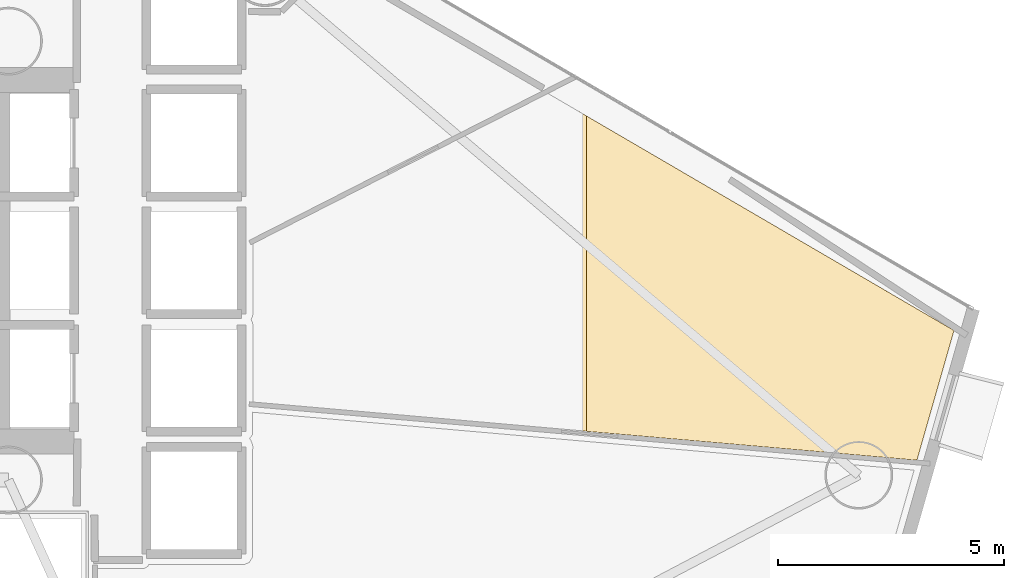
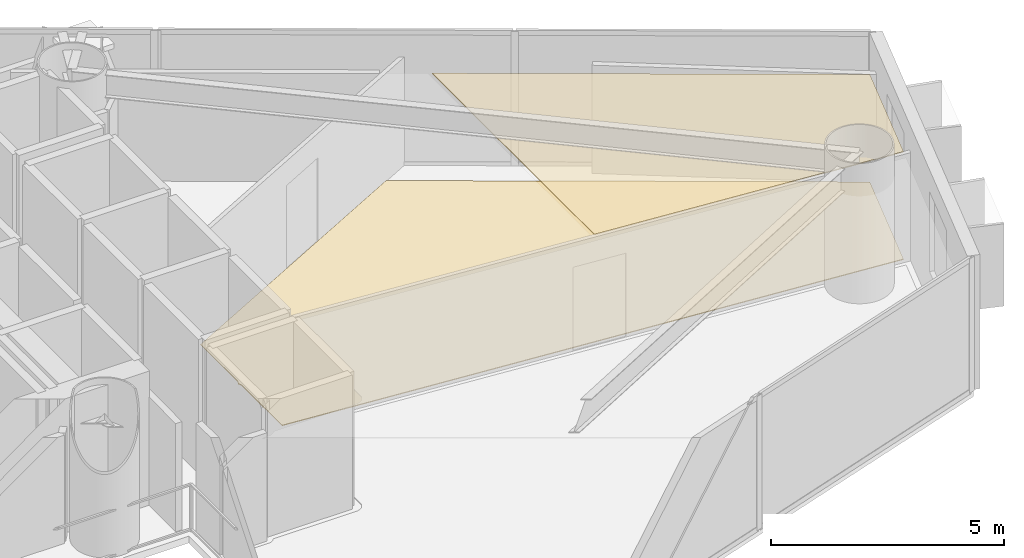
# One storey, part 19 of 19: 2 coverings.
"""IFC4 building model written with IfcOpenShell, lengths in metres."""

import ifcopenshell
import ifcopenshell.guid

model = None  # the IFC model being written
_history = None  # IfcOwnerHistory: only IFC2X3 demands one
_inside = {}  # id of a spatial element -> (the spatial element, [elements in it])
_under = {}  # id of a project, library or spatial element -> (it, [spatial elements below it])
_declared = {}  # id of a project -> (the project, [libraries it declares])
_typed = {}  # id of a type object -> (the type object, [elements of that type])
_made_of = {}  # id of a material, layer set ... -> (it, [elements and type objects made of it])


def new_model(schema):
    """Start an empty IFC model of exactly this schema.

    Asked for "IFC4X3", IfcOpenShell would pick the latest addendum, in which some entities
    have other attributes; the version numbers below select the first issue.
    IFC2X3 requires an IfcOwnerHistory on every rooted entity: one is made here for all.
    """
    global model, _history
    if schema == "IFC4X3":
        model = ifcopenshell.file(schema_version=(4, 3, 0, 0))
    else:
        model = ifcopenshell.file(schema=schema)
    _inside.clear()
    _under.clear()
    _declared.clear()
    _typed.clear()
    _made_of.clear()
    _history = None
    if model.schema == "IFC2X3":
        org = make("IfcOrganization", Name="unknown")
        user = make(
            "IfcPersonAndOrganization",
            ThePerson=make("IfcPerson", FamilyName="unknown"),
            TheOrganization=org,
        )
        app = make(
            "IfcApplication",
            ApplicationDeveloper=org,
            Version="unknown",
            ApplicationFullName="unknown",
            ApplicationIdentifier="unknown",
        )
        _history = make(
            "IfcOwnerHistory",
            OwningUser=user,
            OwningApplication=app,
            ChangeAction="ADDED",
            CreationDate=0,
        )
    return model


def make(cls, **values):
    """One entity of the class cls with the attributes given. An attribute that is None is left unset."""
    return model.create_entity(
        cls, **{name: value for name, value in values.items() if value is not None}
    )


def rooted(cls, **values):
    """An entity with a GlobalId (a new one), such as an element, a storey or a relation."""
    return make(cls, GlobalId=ifcopenshell.guid.new(), OwnerHistory=_history, **values)


def si_unit(unit_type, name, prefix=None):
    """IfcSIUnit, for example si_unit("LENGTHUNIT", "METRE", prefix="MILLI")."""
    return make("IfcSIUnit", UnitType=unit_type, Prefix=prefix, Name=name)


def assignment(units):
    """IfcUnitAssignment: the units of a project."""
    return None if units is None else make("IfcUnitAssignment", Units=units)


def point(xyz):
    """IfcCartesianPoint."""
    return None if xyz is None else make("IfcCartesianPoint", Coordinates=xyz)


def direction(xyz):
    """IfcDirection."""
    return None if xyz is None else make("IfcDirection", DirectionRatios=xyz)


def frame(location, z_axis=None, x_axis=None):
    """IfcAxis2Placement3D, a coordinate frame: its origin and axes. An axis left out is left unset."""
    return make(
        "IfcAxis2Placement3D",
        Location=point(location),
        Axis=direction(z_axis),
        RefDirection=direction(x_axis),
    )


def origin():
    """The frame at (0, 0, 0) with its axes left unset."""
    return frame((0.0, 0.0, 0.0))


def place(relative_to, where):
    """IfcLocalPlacement: puts the frame where relative to a parent placement (None: the world)."""
    return make(
        "IfcLocalPlacement", PlacementRelTo=relative_to, RelativePlacement=where
    )


def context(
    kind, dimensions, precision=None, world=None, true_north=None, identifier=None
):
    """IfcGeometricRepresentationContext, for example the 3D "Model" context."""
    return make(
        "IfcGeometricRepresentationContext",
        ContextIdentifier=identifier,
        ContextType=kind,
        CoordinateSpaceDimension=dimensions,
        Precision=precision,
        WorldCoordinateSystem=world,
        TrueNorth=true_north,
    )


def subcontext(parent, identifier, kind, view, scale=None):
    """IfcGeometricRepresentationSubContext, for example "Body" below "Model"."""
    return make(
        "IfcGeometricRepresentationSubContext",
        ContextIdentifier=identifier,
        ContextType=kind,
        ParentContext=parent,
        TargetScale=scale,
        TargetView=view,
    )


def project(units=None, contexts=None):
    """IfcProject with its units and contexts."""
    return rooted(
        "IfcProject",
        Name="project",
        RepresentationContexts=contexts,
        UnitsInContext=assignment(units),
    )


def spatial(cls, under=None, at=None, **own):
    """A site, building, storey or space (cls), placed at a placement, below another one or the project."""
    s = rooted(cls, ObjectPlacement=at, **own)
    if under is not None:
        _under.setdefault(under.id(), (under, []))[1].append(s)
    return s


def polyline(points):
    """IfcPolyline through the points."""
    return make("IfcPolyline", Points=[point(p) for p in points])


def outline(outer, holes=None, kind="AREA"):
    """IfcArbitraryClosedProfileDef: a profile drawn as a closed curve; with holes, ...WithVoids."""
    if holes is None:
        return make("IfcArbitraryClosedProfileDef", ProfileType=kind, OuterCurve=outer)
    return make(
        "IfcArbitraryProfileDefWithVoids",
        ProfileType=kind,
        OuterCurve=outer,
        InnerCurves=holes,
    )


def extrude(swept, where, along, depth):
    """IfcExtrudedAreaSolid: the profile swept, set in the frame where, extruded along a direction by depth."""
    return make(
        "IfcExtrudedAreaSolid",
        SweptArea=swept,
        Position=where,
        ExtrudedDirection=direction(along),
        Depth=depth,
    )


def shape(context_of_items, identifier, shape_type, items):
    """IfcShapeRepresentation: the items that make up one representation, for example the "Body"."""
    return make(
        "IfcShapeRepresentation",
        ContextOfItems=context_of_items,
        RepresentationIdentifier=identifier,
        RepresentationType=shape_type,
        Items=items,
    )


def material(Name=None, Category=None):
    """IfcMaterial."""
    return make("IfcMaterial", Name=Name, Category=Category)


def layer(
    of_material, thickness, ventilated=None, Name=None, Category=None, Priority=None
):
    """IfcMaterialLayer: one layer of a wall or slab, of a material (None: an air gap)."""
    return make(
        "IfcMaterialLayer",
        Material=of_material,
        LayerThickness=thickness,
        IsVentilated=ventilated,
        Name=Name,
        Category=Category,
        Priority=Priority,
    )


def layer_set(layers, Name=None):
    """IfcMaterialLayerSet."""
    return make("IfcMaterialLayerSet", MaterialLayers=layers, LayerSetName=Name)


def made_of(thing, what):
    """Note that an element or type object is made of a material, layer set ...; save() writes the relation."""
    if what is not None:
        _made_of.setdefault(what.id(), (what, []))[1].append(thing)
    return thing


def type_object(cls, material=None, **own):
    """A type object (cls), such as IfcWallType, which elements share."""
    return made_of(rooted(cls, **own), material)


def element(
    cls,
    number,
    at=None,
    inside=None,
    cuts=None,
    type_object=None,
    material=None,
    context=None,
    identifier="Body",
    shape_type=None,
    held_by="IfcProductDefinitionShape",
    body=None,
    shapes=None,
    **own,
):
    """One element of the class cls, such as IfcWall. Its Tag is "e" and its number.

    at: its placement. inside: the storey or other place that contains it. cuts: it is an
    opening in that element (IfcRelVoidsElement). A single representation is given by context,
    identifier, shape_type and body (its items); several are given by shapes. held_by: the class
    of the entity that holds the representations. save() writes the other relations.
    """
    e = rooted(cls, Tag="e%d" % number, ObjectPlacement=at, **own)
    if body is not None:
        shapes = [shape(context, identifier, shape_type, body)]
    if shapes is not None:
        e.Representation = make(held_by, Representations=shapes)
    if inside is not None:
        _inside.setdefault(inside.id(), (inside, []))[1].append(e)
    if cuts is not None:
        rooted(
            "IfcRelVoidsElement", RelatingBuildingElement=cuts, RelatedOpeningElement=e
        )
    if type_object is not None:
        _typed.setdefault(type_object.id(), (type_object, []))[1].append(e)
    return made_of(e, material)


def aggregate(whole, parts):
    """IfcRelAggregates: a whole, such as a stair, and the parts it consists of."""
    return rooted("IfcRelAggregates", RelatingObject=whole, RelatedObjects=parts)


def save(model, path):
    """Write the relations noted so far, then the file.

    IfcRelAggregates (storeys below a building ...), IfcRelContainedInSpatialStructure (elements
    in a storey), IfcRelDefinesByType, IfcRelAssociatesMaterial and IfcRelDeclares: one each for
    every whole, place, type object, material and project.
    """
    for whole, parts in _under.values():
        aggregate(whole, parts)
    for where, things in _inside.values():
        rooted(
            "IfcRelContainedInSpatialStructure",
            RelatedElements=things,
            RelatingStructure=where,
        )
    for kind, things in _typed.values():
        rooted("IfcRelDefinesByType", RelatedObjects=things, RelatingType=kind)
    for what, things in _made_of.values():
        rooted("IfcRelAssociatesMaterial", RelatedObjects=things, RelatingMaterial=what)
    for by, libraries in _declared.values():
        rooted("IfcRelDeclares", RelatingContext=by, RelatedDefinitions=libraries)
    model.write(path)


model = new_model("IFC4")

# Units and contexts
model_context = context("Model", 3, precision=1e-05, world=origin(), true_north=direction((0.0, 1.0)))
body_context = subcontext(model_context, "Body", "Model", "MODEL_VIEW")
ifc_project = project(units=[si_unit("LENGTHUNIT", "METRE"), si_unit("AREAUNIT", "SQUARE_METRE"), si_unit("VOLUMEUNIT", "CUBIC_METRE"), si_unit("PLANEANGLEUNIT", "RADIAN"), si_unit("MASSUNIT", "GRAM", prefix="KILO")], contexts=[model_context])

# Site, building, storey
site_placement = place(None, origin())
site = spatial("IfcSite", under=ifc_project, at=site_placement, CompositionType="ELEMENT")
building_placement = place(site_placement, origin())
building = spatial("IfcBuilding", under=site, at=building_placement, Name="Qianvela Tower", CompositionType="ELEMENT")
storey_placement = place(building_placement, frame((0.0, 0.0, 120.0)))
storey = spatial("IfcBuildingStorey", under=building, at=storey_placement, Name="L30", CompositionType="ELEMENT", Elevation=120.0)

# Coverings
ifc_material_1 = material(Name="Perforated Mineral Acoustic Ceiling Tile")
ifc_layer_1 = layer(ifc_material_1, 0.02490234375)
ifc_layer_set_1 = layer_set([ifc_layer_1], Name="Perforated Mineral Acoustic Ceiling Tile")
covering_type_1 = type_object("IfcCoveringType", Name="COV-CEIL-ACOUSTIC-25", PredefinedType="CEILING", material=ifc_layer_set_1)
covering_1_placement = place(storey_placement, frame((0.0, 0.0, 2.81494140625)))
element("IfcCovering", 1, at=covering_1_placement, inside=storey, type_object=covering_type_1, Name="L30 Acoustic Ceiling Bay 2 Campus Convenience Shop L30-01", PredefinedType="CEILING", context=body_context, shape_type="SweptSolid", body=[
    extrude(outline(polyline([(59.298583984375, 27.154541015625), (58.4794921875, 24.287109375), (51.175537109375, 24.926025390625), (51.175537109375, 31.896240234375), (59.298583984375, 27.154541015625)])), origin(), (0.0, 0.0, 1.0), 0.025146484375),
])
ifc_material_2 = material(Name="Engineered Acoustic Oak Timber Flooring", Category="wood")
ifc_layer_2 = layer(ifc_material_2, 0.02001953125)
ifc_layer_set_2 = layer_set([ifc_layer_2], Name="Engineered Acoustic Oak Timber Flooring")
covering_type_2 = type_object("IfcCoveringType", Name="COV-FLOOR-OAK-20", PredefinedType="FLOORING", material=ifc_layer_set_2)
covering_2_placement = place(storey_placement, origin())
element("IfcCovering", 2, at=covering_2_placement, inside=storey, type_object=covering_type_2, Name="L30 Finish Flooring Campus Convenience Shop L30-01", PredefinedType="FLOORING", context=body_context, shape_type="SweptSolid", body=[
    extrude(outline(polyline([(43.7646484375, 27.39990234375), (43.793701171875, 27.468994140625), (43.79638671875, 27.476318359375), (43.79833984375, 27.484130859375), (43.799560546875, 27.491943359375), (43.800048828125, 27.5), (43.800048828125, 29.072998046875), (50.3203125, 32.3955078125), (59.298583984375, 27.154541015625), (58.4794921875, 24.287109375), (43.800048828125, 25.5712890625), (43.800048828125, 27.300048828125), (43.799560546875, 27.30810546875), (43.79833984375, 27.31591796875), (43.79638671875, 27.323486328125), (43.793701171875, 27.3310546875), (43.7646484375, 27.39990234375)])), origin(), (0.0, 0.0, 1.0), 0.02001953125),
])

save(model, "model.ifc")
